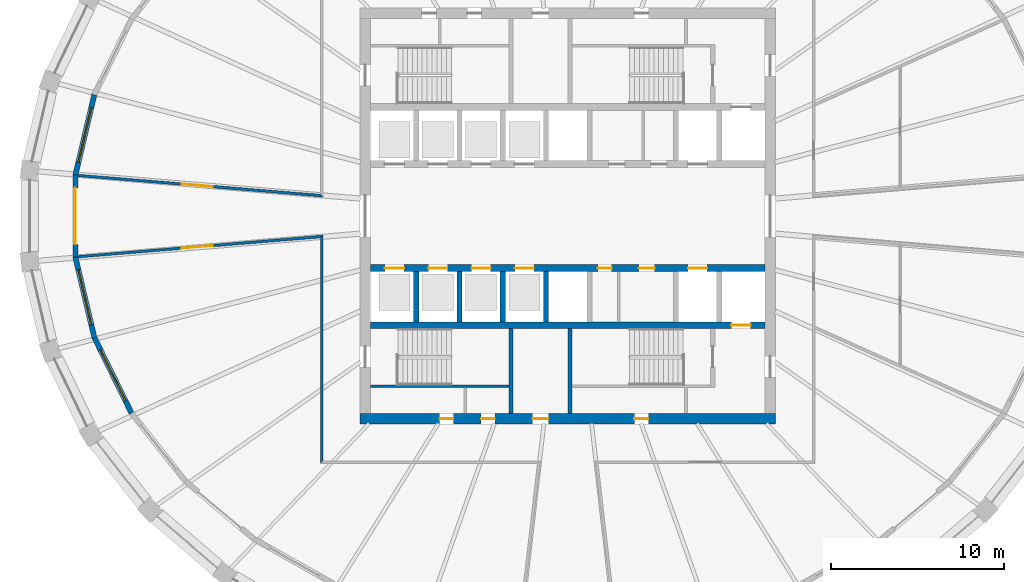
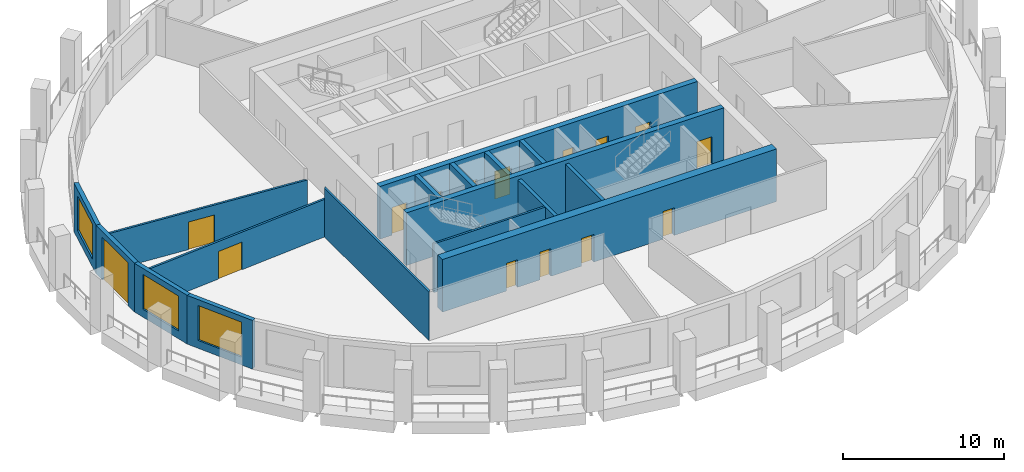
# One storey, part 3 of 10: 17 walls, 15 doors, 3 windows, 18 openings.
"""IFC4 building model written with IfcOpenShell, lengths in metres."""

from ifc_helpers import new_model, si_unit, direction, frame, frame_2d, origin, place, context, subcontext, project, spatial, polyline, rectangle, outline, extrude, material, layer, layer_set, type_object, element, fill, save


model = new_model("IFC4")

# Units and contexts
model_context = context("Model", 3, precision=1e-05, world=origin(), true_north=direction((0.0, 1.0)))
body_context = subcontext(model_context, "Body", "Model", "MODEL_VIEW")
ifc_project = project(units=[si_unit("LENGTHUNIT", "METRE"), si_unit("AREAUNIT", "SQUARE_METRE"), si_unit("VOLUMEUNIT", "CUBIC_METRE"), si_unit("PLANEANGLEUNIT", "RADIAN"), si_unit("MASSUNIT", "GRAM", prefix="KILO")], contexts=[model_context])

# Site, building, storey
site_placement = place(None, origin())
site = spatial("IfcSite", under=ifc_project, at=site_placement, CompositionType="ELEMENT")
building_placement = place(site_placement, origin())
building = spatial("IfcBuilding", under=site, at=building_placement, Name="Halqa Exchange Tower", CompositionType="ELEMENT")
storey_placement = place(building_placement, frame((0.0, 0.0, 238.89990234375)))
storey = spatial("IfcBuildingStorey", under=building, at=storey_placement, Name="L55", CompositionType="ELEMENT", Elevation=238.89990234375)

# Wall, opening, door
ifc_material_1 = material(Name="Fire-rated gypsum board")
ifc_layer_1 = layer(ifc_material_1, 0.14990234375)
ifc_layer_set_1 = layer_set([ifc_layer_1], Name="Fire-rated gypsum board")
wall_type_1 = type_object("IfcWallType", Name="Fire partition EI 60 150", PredefinedType="PARTITIONING", material=ifc_layer_set_1)
wall_1_placement = place(storey_placement, frame((-28.26708984375, 2.344970703125, 0.0), z_axis=(0.0, 0.0, 1.0), x_axis=(0.996588676362, -0.082528844332, 0.0)))
wall_1 = element("IfcWall", 1, at=wall_1_placement, inside=storey, type_object=wall_type_1, Name="L55-PWL-001", PredefinedType="PARTITIONING", context=body_context, shape_type="SweptSolid", body=[
    extrude(outline(polyline([(14.196533203125, -0.074951171875), (14.196533203125, -0.074951171875), (14.115234375, 0.0), (14.03369140625, 0.074951171875), (12.280029296875, 0.074951171875), (10.5263671875, 0.074951171875), (8.772705078125, 0.074951171875), (7.01904296875, 0.074951171875), (5.26513671875, 0.074951171875), (3.511474609375, 0.074951171875), (1.7578125, 0.074951171875), (0.004150390625, 0.074951171875), (0.0, 0.047607421875), (0.0, -0.074951171875), (1.774658203125, -0.074951171875), (3.549072265625, -0.074951171875), (5.32373046875, -0.074951171875), (7.09814453125, -0.074951171875), (8.872802734375, -0.074951171875), (10.6474609375, -0.074951171875), (12.421875, -0.074951171875), (14.196533203125, -0.074951171875)])), origin(), (0.0, 0.0, 1.0), 2.85009765625),
])
opening_1_placement = place(wall_1_placement, frame((6.005859375, 0.0, 0.0)))
opening_1 = element("IfcOpeningElement", 2, at=opening_1_placement, cuts=wall_1, Name="Opening 17-07", PredefinedType="OPENING", context=body_context, shape_type="SweptSolid", body=[
    extrude(rectangle(XDim=1.800048828125, YDim=2.10009765625, at=frame_2d((0.89990234375, 1.050048828125))), frame((0.0, 0.0869140625, 0.0), z_axis=(0.0, -1.0, 0.0), x_axis=(1.0, 0.0, 0.0)), (0.0, 0.0, 1.0), 0.173828125),
])
ifc_material_2 = material(Name="Steel fire door leaf", Category="steel")
door_type_1 = type_object("IfcDoorType", Name="Fire door FD30S double 1800 x 2100", OperationType="DOUBLE_DOOR_SINGLE_SWING", PredefinedType="DOOR", material=ifc_material_2)
door_1_placement = place(opening_1_placement, origin())
door_1 = element("IfcDoor", 3, at=door_1_placement, inside=storey, type_object=door_type_1, Name="L55-IDR-007", OperationType="DOUBLE_DOOR_SINGLE_SWING", OverallHeight=2.10009765625, OverallWidth=1.800048828125, PredefinedType="DOOR", context=body_context, shape_type="SweptSolid", body=[
    extrude(rectangle(XDim=1.800048828125, YDim=2.10009765625, at=frame_2d((0.89990234375, 1.050048828125))), frame((0.0, 0.02490234375, 0.0), z_axis=(0.0, -1.0, 0.0), x_axis=(1.0, 0.0, 0.0)), (0.0, 0.0, 1.0), 0.050048828125),
])
fill(opening_1, door_1)

# Wall
wall_2_placement = place(storey_placement, frame((-14.199951171875, -14.27490234375, 0.0), z_axis=(0.0, 0.0, 1.0), x_axis=(0.0, 1.0, 0.0)))
element("IfcWall", 4, at=wall_2_placement, inside=storey, type_object=wall_type_1, Name="L55-PWL-002", PredefinedType="PARTITIONING", context=body_context, shape_type="SweptSolid", body=[
    extrude(outline(polyline([(0.14990234375, -0.074951171875), (2.0107421875, -0.074951171875), (3.871826171875, -0.074951171875), (5.732666015625, -0.074951171875), (7.593505859375, -0.074951171875), (9.45458984375, -0.074951171875), (11.3154296875, -0.074951171875), (13.17626953125, -0.074951171875), (13.013427734375, 0.074951171875), (11.154541015625, 0.074951171875), (9.29541015625, 0.074951171875), (7.436279296875, 0.074951171875), (5.5771484375, 0.074951171875), (3.71826171875, 0.074951171875), (1.859130859375, 0.074951171875), (0.0, 0.074951171875), (0.14990234375, -0.074951171875)])), origin(), (0.0, 0.0, 1.0), 3.7001953125),
])

# Wall, opening, door
wall_3_placement = place(storey_placement, frame((-14.118896484375, -1.17333984375, 0.0), z_axis=(0.0, 0.0, 1.0), x_axis=(-0.996588676362, -0.082528844332, 0.0)))
wall_3 = element("IfcWall", 5, at=wall_3_placement, inside=storey, type_object=wall_type_1, Name="L55-PWL-003", PredefinedType="PARTITIONING", context=body_context, shape_type="SweptSolid", body=[
    extrude(outline(polyline([(14.196533203125, -0.074951171875), (14.196533203125, 0.048095703125), (14.192626953125, 0.074951171875), (12.438720703125, 0.074951171875), (10.68505859375, 0.074951171875), (8.931396484375, 0.074951171875), (7.177734375, 0.074951171875), (5.424072265625, 0.074951171875), (3.670166015625, 0.074951171875), (1.91650390625, 0.074951171875), (0.162841796875, 0.074951171875), (0.081298828125, 0.0), (0.0, -0.074951171875), (1.774658203125, -0.074951171875), (3.549072265625, -0.074951171875), (5.32373046875, -0.074951171875), (7.098388671875, -0.074951171875), (8.872802734375, -0.074951171875), (10.6474609375, -0.074951171875), (12.421875, -0.074951171875), (14.196533203125, -0.074951171875)])), origin(), (0.0, 0.0, 1.0), 2.85009765625),
])
opening_2_placement = place(wall_3_placement, frame((6.39111328125, 0.0, 0.0)))
opening_2 = element("IfcOpeningElement", 6, at=opening_2_placement, cuts=wall_3, Name="Opening 17-01", PredefinedType="OPENING", context=body_context, shape_type="SweptSolid", body=[
    extrude(rectangle(XDim=1.800048828125, YDim=2.10009765625, at=frame_2d((0.89990234375, 1.050048828125))), frame((0.0, 0.0869140625, 0.0), z_axis=(0.0, -1.0, 0.0), x_axis=(1.0, 0.0, 0.0)), (0.0, 0.0, 1.0), 0.173828125),
])
door_2_placement = place(opening_2_placement, origin())
door_2 = element("IfcDoor", 7, at=door_2_placement, inside=storey, type_object=door_type_1, Name="L55-IDR-001", OperationType="DOUBLE_DOOR_SINGLE_SWING", OverallHeight=2.10009765625, OverallWidth=1.800048828125, PredefinedType="DOOR", context=body_context, shape_type="SweptSolid", body=[
    extrude(rectangle(XDim=1.800048828125, YDim=2.10009765625, at=frame_2d((0.89990234375, 1.050048828125))), frame((0.0, 0.02490234375, 0.0), z_axis=(0.0, -1.0, 0.0), x_axis=(1.0, 0.0, 0.0)), (0.0, 0.0, 1.0), 0.050048828125),
])
fill(opening_2, door_2)

# Walls
ifc_material_3 = material(Name="Concrete C60/75", Category="concrete")
ifc_layer_2 = layer(ifc_material_3, 0.300048828125)
ifc_layer_set_2 = layer_set([ifc_layer_2], Name="Concrete C60/75")
wall_type_2 = type_object("IfcWallType", Name="RC core wall 300", PredefinedType="SHEAR", material=ifc_layer_set_2)
for number, where, z_axis, x_axis, name in (
    (8, (-8.75, -6.10009765625, 0.0), (0.0, 0.0, 1.0), (0.0, 1.0, 0.0), "Shaft divider S1"),
    (9, (-6.25, -6.10009765625, 0.0), (0.0, 0.0, 1.0), (0.0, 1.0, 0.0), "Shaft divider S2"),
    (10, (-3.75, -6.10009765625, 0.0), (0.0, 0.0, 1.0), (0.0, 1.0, 0.0), "Shaft divider S3"),
    (11, (-1.25, -6.10009765625, 0.0), (0.0, 0.0, 1.0), (0.0, 1.0, 0.0), "Shaft divider S4"),
):
    element("IfcWall", number, at=place(storey_placement, frame(where, z_axis=z_axis, x_axis=x_axis)), inside=storey, type_object=wall_type_2, Name=name, PredefinedType="SHEAR", context=body_context, shape_type="SweptSolid", body=[
        extrude(rectangle(XDim=2.900146484375, YDim=0.300048828125, at=frame_2d((1.4501953125, 0.0))), origin(), (0.0, 0.0, 1.0), 4.0),
    ])

# Wall, openings, doors
ifc_material_4 = material(Name="Concrete C70/85", Category="concrete")
ifc_layer_3 = layer(ifc_material_4, 0.39990234375)
ifc_layer_set_3 = layer_set([ifc_layer_3], Name="Concrete C70/85")
wall_type_3 = type_object("IfcWallType", Name="RC core wall 400 C70/85", PredefinedType="SHEAR", material=ifc_layer_set_3)
wall_4_placement = place(storey_placement, frame((-11.39990234375, -3.0, 0.0), z_axis=(0.0, 0.0, 1.0), x_axis=(1.0, 0.0, 0.0)))
wall_4 = element("IfcWall", 12, at=wall_4_placement, inside=storey, type_object=wall_type_3, Name="Lift row front wall S", PredefinedType="SHEAR", context=body_context, shape_type="SweptSolid", body=[
    extrude(rectangle(XDim=22.7998046875, YDim=0.39990234375, at=frame_2d((11.39990234375, 0.0))), origin(), (0.0, 0.0, 1.0), 4.0),
])
opening_3_placement = place(wall_4_placement, frame((0.85009765625, 0.0, 0.0)))
opening_3 = element("IfcOpeningElement", 13, at=opening_3_placement, cuts=wall_4, Name="Opening LD-HR3-T17", PredefinedType="OPENING", context=body_context, shape_type="SweptSolid", body=[
    extrude(rectangle(XDim=1.10009765625, YDim=2.10009765625, at=frame_2d((0.550048828125, 1.050048828125))), frame((0.0, 0.2119140625, 0.0), z_axis=(0.0, -1.0, 0.0), x_axis=(1.0, 0.0, 0.0)), (0.0, 0.0, 1.0), 0.423828125),
])
opening_4_placement = place(wall_4_placement, frame((3.35009765625, 0.0, 0.0)))
opening_4 = element("IfcOpeningElement", 14, at=opening_4_placement, cuts=wall_4, Name="Opening LD-HR4-T17", PredefinedType="OPENING", context=body_context, shape_type="SweptSolid", body=[
    extrude(rectangle(XDim=1.10009765625, YDim=2.10009765625, at=frame_2d((0.550048828125, 1.050048828125))), frame((0.0, 0.2119140625, 0.0), z_axis=(0.0, -1.0, 0.0), x_axis=(1.0, 0.0, 0.0)), (0.0, 0.0, 1.0), 0.423828125),
])
opening_5_placement = place(wall_4_placement, frame((5.85009765625, 0.0, 0.0)))
opening_5 = element("IfcOpeningElement", 15, at=opening_5_placement, cuts=wall_4, Name="Opening LD-MR3-T17", PredefinedType="OPENING", context=body_context, shape_type="SweptSolid", body=[
    extrude(rectangle(XDim=1.10009765625, YDim=2.10009765625, at=frame_2d((0.550048828125, 1.050048828125))), frame((0.0, 0.2119140625, 0.0), z_axis=(0.0, -1.0, 0.0), x_axis=(1.0, 0.0, 0.0)), (0.0, 0.0, 1.0), 0.423828125),
])
opening_6_placement = place(wall_4_placement, frame((8.35009765625, 0.0, 0.0)))
opening_6 = element("IfcOpeningElement", 16, at=opening_6_placement, cuts=wall_4, Name="Opening LD-MR4-T17", PredefinedType="OPENING", context=body_context, shape_type="SweptSolid", body=[
    extrude(rectangle(XDim=1.10009765625, YDim=2.10009765625, at=frame_2d((0.550048828125, 1.050048828125))), frame((0.0, 0.2119140625, 0.0), z_axis=(0.0, -1.0, 0.0), x_axis=(1.0, 0.0, 0.0)), (0.0, 0.0, 1.0), 0.423828125),
])
opening_7_placement = place(wall_4_placement, frame((18.35009765625, 0.0, 0.0)))
opening_7 = element("IfcOpeningElement", 17, at=opening_7_placement, cuts=wall_4, Name="Opening LD-SV2-T17", PredefinedType="OPENING", context=body_context, shape_type="SweptSolid", body=[
    extrude(rectangle(XDim=1.10009765625, YDim=2.10009765625, at=frame_2d((0.550048828125, 1.050048828125))), frame((0.0, 0.2119140625, 0.0), z_axis=(0.0, -1.0, 0.0), x_axis=(1.0, 0.0, 0.0)), (0.0, 0.0, 1.0), 0.423828125),
])
opening_8_placement = place(wall_4_placement, frame((13.137451171875, 0.0, 0.0)))
opening_8 = element("IfcOpeningElement", 18, at=opening_8_placement, cuts=wall_4, Name="Opening T17-C31", PredefinedType="OPENING", context=body_context, shape_type="SweptSolid", body=[
    extrude(rectangle(XDim=0.800048828125, YDim=2.10009765625, at=frame_2d((0.39990234375, 1.050048828125))), frame((0.0, 0.2119140625, 0.0), z_axis=(0.0, -1.0, 0.0), x_axis=(1.0, 0.0, 0.0)), (0.0, 0.0, 1.0), 0.423828125),
])
opening_9_placement = place(wall_4_placement, frame((15.512451171875, 0.0, 0.0)))
opening_9 = element("IfcOpeningElement", 19, at=opening_9_placement, cuts=wall_4, Name="Opening T17-C32", PredefinedType="OPENING", context=body_context, shape_type="SweptSolid", body=[
    extrude(rectangle(XDim=0.89990234375, YDim=2.10009765625, at=frame_2d((0.449951171875, 1.050048828125))), frame((0.0, 0.2119140625, 0.0), z_axis=(0.0, -1.0, 0.0), x_axis=(1.0, 0.0, 0.0)), (0.0, 0.0, 1.0), 0.423828125),
])
ifc_material_5 = material(Name="Timber fire door leaf", Category="wood")
door_type_2 = type_object("IfcDoorType", Name="Core room door FD30 900 x 2100", OperationType="SINGLE_SWING_LEFT", PredefinedType="DOOR", material=ifc_material_5)
door_3_placement = place(opening_9_placement, frame((0.89990234375, 0.0, 0.0), z_axis=(0.0, 0.0, 1.0), x_axis=(-1.0, 0.0, 0.0)))
door_3 = element("IfcDoor", 20, at=door_3_placement, inside=storey, type_object=door_type_2, Name="Core room door", OperationType="SINGLE_SWING_LEFT", OverallHeight=2.10009765625, OverallWidth=0.89990234375, PredefinedType="DOOR", context=body_context, shape_type="SweptSolid", body=[
    extrude(rectangle(XDim=0.89990234375, YDim=2.10009765625, at=frame_2d((0.449951171875, 1.050048828125))), frame((0.0, 0.02490234375, 0.0), z_axis=(0.0, -1.0, 0.0), x_axis=(1.0, 0.0, 0.0)), (0.0, 0.0, 1.0), 0.050048828125),
])
fill(opening_9, door_3)
ifc_material_6 = material(Name="Stainless steel", Category="steel")
door_type_3 = type_object("IfcDoorType", Name="Lift landing door 1100 x 2100", OperationType="SLIDING_TO_LEFT", PredefinedType="DOOR", material=ifc_material_6)
door_4_placement = place(opening_3_placement, origin())
door_4 = element("IfcDoor", 21, at=door_4_placement, inside=storey, type_object=door_type_3, Name="Lift landing door HR3", OperationType="SLIDING_TO_LEFT", OverallHeight=2.10009765625, OverallWidth=1.10009765625, PredefinedType="DOOR", context=body_context, shape_type="SweptSolid", body=[
    extrude(rectangle(XDim=1.10009765625, YDim=2.10009765625, at=frame_2d((0.550048828125, 1.050048828125))), frame((0.0, 0.02490234375, 0.0), z_axis=(0.0, -1.0, 0.0), x_axis=(1.0, 0.0, 0.0)), (0.0, 0.0, 1.0), 0.050048828125),
])
fill(opening_3, door_4)
door_5_placement = place(opening_4_placement, origin())
door_5 = element("IfcDoor", 22, at=door_5_placement, inside=storey, type_object=door_type_3, Name="Lift landing door HR4", OperationType="SLIDING_TO_LEFT", OverallHeight=2.10009765625, OverallWidth=1.10009765625, PredefinedType="DOOR", context=body_context, shape_type="SweptSolid", body=[
    extrude(rectangle(XDim=1.10009765625, YDim=2.10009765625, at=frame_2d((0.550048828125, 1.050048828125))), frame((0.0, 0.02490234375, 0.0), z_axis=(0.0, -1.0, 0.0), x_axis=(1.0, 0.0, 0.0)), (0.0, 0.0, 1.0), 0.050048828125),
])
fill(opening_4, door_5)
door_6_placement = place(opening_5_placement, origin())
door_6 = element("IfcDoor", 23, at=door_6_placement, inside=storey, type_object=door_type_3, Name="Lift landing door MR3", OperationType="SLIDING_TO_LEFT", OverallHeight=2.10009765625, OverallWidth=1.10009765625, PredefinedType="DOOR", context=body_context, shape_type="SweptSolid", body=[
    extrude(rectangle(XDim=1.10009765625, YDim=2.10009765625, at=frame_2d((0.550048828125, 1.050048828125))), frame((0.0, 0.02490234375, 0.0), z_axis=(0.0, -1.0, 0.0), x_axis=(1.0, 0.0, 0.0)), (0.0, 0.0, 1.0), 0.050048828125),
])
fill(opening_5, door_6)
door_7_placement = place(opening_6_placement, origin())
door_7 = element("IfcDoor", 24, at=door_7_placement, inside=storey, type_object=door_type_3, Name="Lift landing door MR4", OperationType="SLIDING_TO_LEFT", OverallHeight=2.10009765625, OverallWidth=1.10009765625, PredefinedType="DOOR", context=body_context, shape_type="SweptSolid", body=[
    extrude(rectangle(XDim=1.10009765625, YDim=2.10009765625, at=frame_2d((0.550048828125, 1.050048828125))), frame((0.0, 0.02490234375, 0.0), z_axis=(0.0, -1.0, 0.0), x_axis=(1.0, 0.0, 0.0)), (0.0, 0.0, 1.0), 0.050048828125),
])
fill(opening_6, door_7)
door_8_placement = place(opening_7_placement, origin())
door_8 = element("IfcDoor", 25, at=door_8_placement, inside=storey, type_object=door_type_3, Name="Lift landing door SV2", OperationType="SLIDING_TO_LEFT", OverallHeight=2.10009765625, OverallWidth=1.10009765625, PredefinedType="DOOR", context=body_context, shape_type="SweptSolid", body=[
    extrude(rectangle(XDim=1.10009765625, YDim=2.10009765625, at=frame_2d((0.550048828125, 1.050048828125))), frame((0.0, 0.02490234375, 0.0), z_axis=(0.0, -1.0, 0.0), x_axis=(1.0, 0.0, 0.0)), (0.0, 0.0, 1.0), 0.050048828125),
])
fill(opening_7, door_8)
door_type_4 = type_object("IfcDoorType", Name="Riser door FD60 800 x 2100", OperationType="SINGLE_SWING_LEFT", PredefinedType="DOOR", material=ifc_material_2)
door_9_placement = place(opening_8_placement, frame((0.800048828125, 0.0, 0.0), z_axis=(0.0, 0.0, 1.0), x_axis=(-1.0, 0.0, 0.0)))
door_9 = element("IfcDoor", 26, at=door_9_placement, inside=storey, type_object=door_type_4, Name="Core room door", OperationType="SINGLE_SWING_LEFT", OverallHeight=2.10009765625, OverallWidth=0.800048828125, PredefinedType="DOOR", context=body_context, shape_type="SweptSolid", body=[
    extrude(rectangle(XDim=0.800048828125, YDim=2.10009765625, at=frame_2d((0.39990234375, 1.050048828125))), frame((0.0, 0.02490234375, 0.0), z_axis=(0.0, -1.0, 0.0), x_axis=(1.0, 0.0, 0.0)), (0.0, 0.0, 1.0), 0.050048828125),
])
fill(opening_8, door_9)

# Wall, opening, door
wall_5_placement = place(storey_placement, frame((-11.39990234375, -6.300048828125, 0.0), z_axis=(0.0, 0.0, 1.0), x_axis=(1.0, 0.0, 0.0)))
wall_5 = element("IfcWall", 27, at=wall_5_placement, inside=storey, type_object=wall_type_3, Name="Lift row back wall S", PredefinedType="SHEAR", context=body_context, shape_type="SweptSolid", body=[
    extrude(rectangle(XDim=22.7998046875, YDim=0.39990234375, at=frame_2d((11.39990234375, 0.0))), origin(), (0.0, 0.0, 1.0), 4.0),
])
opening_10_placement = place(wall_5_placement, frame((20.85009765625, 0.0, 0.0)))
opening_10 = element("IfcOpeningElement", 28, at=opening_10_placement, cuts=wall_5, Name="Opening LD-FF2-T17", PredefinedType="OPENING", context=body_context, shape_type="SweptSolid", body=[
    extrude(rectangle(XDim=1.10009765625, YDim=2.10009765625, at=frame_2d((0.550048828125, 1.050048828125))), frame((0.0, 0.2119140625, 0.0), z_axis=(0.0, -1.0, 0.0), x_axis=(1.0, 0.0, 0.0)), (0.0, 0.0, 1.0), 0.423828125),
])
door_10_placement = place(opening_10_placement, origin())
door_10 = element("IfcDoor", 29, at=door_10_placement, inside=storey, type_object=door_type_3, Name="Lift landing door FF2", OperationType="SLIDING_TO_LEFT", OverallHeight=2.10009765625, OverallWidth=1.10009765625, PredefinedType="DOOR", context=body_context, shape_type="SweptSolid", body=[
    extrude(rectangle(XDim=1.10009765625, YDim=2.10009765625, at=frame_2d((0.550048828125, 1.050048828125))), frame((0.0, 0.02490234375, 0.0), z_axis=(0.0, -1.0, 0.0), x_axis=(1.0, 0.0, 0.0)), (0.0, 0.0, 1.0), 0.050048828125),
])
fill(opening_10, door_10)

# Wall, openings, doors
ifc_layer_4 = layer(ifc_material_4, 0.60009765625)
ifc_layer_set_4 = layer_set([ifc_layer_4], Name="Concrete C70/85")
wall_type_4 = type_object("IfcWallType", Name="RC core wall 600 C70/85", PredefinedType="SHEAR", material=ifc_layer_set_4)
wall_6_placement = place(storey_placement, frame((-12.0, -11.699951171875, 0.0), z_axis=(0.0, 0.0, 1.0), x_axis=(1.0, 0.0, 0.0)))
wall_6 = element("IfcWall", 30, at=wall_6_placement, inside=storey, type_object=wall_type_4, Name="Core wall south", PredefinedType="SHEAR", context=body_context, shape_type="SweptSolid", body=[
    extrude(rectangle(XDim=24.0, YDim=0.60009765625, at=frame_2d((12.0, 0.0))), origin(), (0.0, 0.0, 1.0), 4.0),
])
opening_11_placement = place(wall_6_placement, frame((9.97509765625, 0.0, 0.0)))
opening_11 = element("IfcOpeningElement", 31, at=opening_11_placement, cuts=wall_6, Name="Opening T17-C25", PredefinedType="OPENING", context=body_context, shape_type="SweptSolid", body=[
    extrude(rectangle(XDim=0.89990234375, YDim=2.10009765625, at=frame_2d((0.449951171875, 1.050048828125))), frame((0.0, 0.31201171875, 0.0), z_axis=(0.0, -1.0, 0.0), x_axis=(1.0, 0.0, 0.0)), (0.0, 0.0, 1.0), 0.6240234375),
])
opening_12_placement = place(wall_6_placement, frame((4.60009765625, 0.0, 0.0)))
opening_12 = element("IfcOpeningElement", 32, at=opening_12_placement, cuts=wall_6, Name="Opening T17-C26", PredefinedType="OPENING", context=body_context, shape_type="SweptSolid", body=[
    extrude(rectangle(XDim=0.800048828125, YDim=2.10009765625, at=frame_2d((0.39990234375, 1.050048828125))), frame((0.0, 0.31201171875, 0.0), z_axis=(0.0, -1.0, 0.0), x_axis=(1.0, 0.0, 0.0)), (0.0, 0.0, 1.0), 0.6240234375),
])
opening_13_placement = place(wall_6_placement, frame((7.0, 0.0, 0.0)))
opening_13 = element("IfcOpeningElement", 33, at=opening_13_placement, cuts=wall_6, Name="Opening T17-C27", PredefinedType="OPENING", context=body_context, shape_type="SweptSolid", body=[
    extrude(rectangle(XDim=0.800048828125, YDim=2.10009765625, at=frame_2d((0.39990234375, 1.050048828125))), frame((0.0, 0.31201171875, 0.0), z_axis=(0.0, -1.0, 0.0), x_axis=(1.0, 0.0, 0.0)), (0.0, 0.0, 1.0), 0.6240234375),
])
opening_14_placement = place(wall_6_placement, frame((15.85009765625, 0.0, 0.0)))
opening_14 = element("IfcOpeningElement", 34, at=opening_14_placement, cuts=wall_6, Name="Opening T17-C28", PredefinedType="OPENING", context=body_context, shape_type="SweptSolid", body=[
    extrude(rectangle(XDim=0.800048828125, YDim=2.10009765625, at=frame_2d((0.39990234375, 1.050048828125))), frame((0.0, 0.31201171875, 0.0), z_axis=(0.0, -1.0, 0.0), x_axis=(1.0, 0.0, 0.0)), (0.0, 0.0, 1.0), 0.6240234375),
])
door_11_placement = place(opening_11_placement, origin())
door_11 = element("IfcDoor", 35, at=door_11_placement, inside=storey, type_object=door_type_2, Name="Core room door", OperationType="SINGLE_SWING_RIGHT", OverallHeight=2.10009765625, OverallWidth=0.89990234375, PredefinedType="DOOR", context=body_context, shape_type="SweptSolid", body=[
    extrude(rectangle(XDim=0.89990234375, YDim=2.10009765625, at=frame_2d((0.449951171875, 1.050048828125))), frame((0.0, 0.02490234375, 0.0), z_axis=(0.0, -1.0, 0.0), x_axis=(1.0, 0.0, 0.0)), (0.0, 0.0, 1.0), 0.050048828125),
])
fill(opening_11, door_11)
door_12_placement = place(opening_12_placement, origin())
door_12 = element("IfcDoor", 36, at=door_12_placement, inside=storey, type_object=door_type_4, Name="Core room door", OperationType="SINGLE_SWING_LEFT", OverallHeight=2.10009765625, OverallWidth=0.800048828125, PredefinedType="DOOR", context=body_context, shape_type="SweptSolid", body=[
    extrude(rectangle(XDim=0.800048828125, YDim=2.10009765625, at=frame_2d((0.39990234375, 1.050048828125))), frame((0.0, 0.02490234375, 0.0), z_axis=(0.0, -1.0, 0.0), x_axis=(1.0, 0.0, 0.0)), (0.0, 0.0, 1.0), 0.050048828125),
])
fill(opening_12, door_12)
door_13_placement = place(opening_13_placement, origin())
door_13 = element("IfcDoor", 37, at=door_13_placement, inside=storey, type_object=door_type_4, Name="Core room door", OperationType="SINGLE_SWING_RIGHT", OverallHeight=2.10009765625, OverallWidth=0.800048828125, PredefinedType="DOOR", context=body_context, shape_type="SweptSolid", body=[
    extrude(rectangle(XDim=0.800048828125, YDim=2.10009765625, at=frame_2d((0.39990234375, 1.050048828125))), frame((0.0, 0.02490234375, 0.0), z_axis=(0.0, -1.0, 0.0), x_axis=(1.0, 0.0, 0.0)), (0.0, 0.0, 1.0), 0.050048828125),
])
fill(opening_13, door_13)
door_14_placement = place(opening_14_placement, origin())
door_14 = element("IfcDoor", 38, at=door_14_placement, inside=storey, type_object=door_type_4, Name="Core room door", OperationType="SINGLE_SWING_LEFT", OverallHeight=2.10009765625, OverallWidth=0.800048828125, PredefinedType="DOOR", context=body_context, shape_type="SweptSolid", body=[
    extrude(rectangle(XDim=0.800048828125, YDim=2.10009765625, at=frame_2d((0.39990234375, 1.050048828125))), frame((0.0, 0.02490234375, 0.0), z_axis=(0.0, -1.0, 0.0), x_axis=(1.0, 0.0, 0.0)), (0.0, 0.0, 1.0), 0.050048828125),
])
fill(opening_14, door_14)

# Walls
ifc_material_7 = material(Name="Concrete C30/37", Category="concrete")
ifc_layer_5 = layer(ifc_material_7, 0.14990234375)
ifc_layer_set_5 = layer_set([ifc_layer_5], Name="Concrete C30/37")
wall_type_5 = type_object("IfcWallType", Name="RC stair wall 150 C30/37", PredefinedType="SHEAR", material=ifc_layer_set_5)
wall_7_placement = place(storey_placement, frame((-11.39990234375, -9.824951171875, 0.0), z_axis=(0.0, 0.0, 1.0), x_axis=(1.0, 0.0, 0.0)))
element("IfcWall", 39, at=wall_7_placement, inside=storey, type_object=wall_type_5, Name="Stair ST1 north wall S", PredefinedType="SHEAR", context=body_context, shape_type="SweptSolid", body=[
    extrude(rectangle(XDim=8.0, YDim=0.14990234375, at=frame_2d((4.0, 0.0))), origin(), (0.0, 0.0, 1.0), 3.7001953125),
])
ifc_layer_6 = layer(ifc_material_7, 0.25)
ifc_layer_set_6 = layer_set([ifc_layer_6], Name="Concrete C30/37")
wall_type_6 = type_object("IfcWallType", Name="RC stair wall 250 C30/37", PredefinedType="SHEAR", material=ifc_layer_set_6)
for number, where, z_axis, x_axis, name in (
    (40, (-3.27490234375, -11.39990234375, 0.0), (0.0, 0.0, 1.0), (0.0, 1.0, 0.0), "Stair ST1 east wall S"),
    (41, (0.125, -11.39990234375, 0.0), (0.0, 0.0, 1.0), (0.0, 1.0, 0.0), "Stair ST2 west wall S"),
):
    element("IfcWall", number, at=place(storey_placement, frame(where, z_axis=z_axis, x_axis=x_axis)), inside=storey, type_object=wall_type_6, Name=name, PredefinedType="SHEAR", context=body_context, shape_type="SweptSolid", body=[
        extrude(rectangle(XDim=4.89990234375, YDim=0.25, at=frame_2d((2.449951171875, 0.0))), origin(), (0.0, 0.0, 1.0), 3.7001953125),
    ])

# Wall, opening, window
ifc_material_8 = material(Name="Limestone cladding", Category="masonry")
ifc_layer_7 = layer(ifc_material_8, 0.0400390625)
ifc_material_9 = material(Name="Ventilated cavity")
ifc_layer_8 = layer(ifc_material_9, 0.030029296875, ventilated=True)
ifc_material_10 = material(Name="Mineral wool insulation")
ifc_layer_9 = layer(ifc_material_10, 0.10009765625)
ifc_layer_10 = layer(ifc_material_7, 0.10009765625)
ifc_material_11 = material(Name="Internal plaster")
ifc_layer_11 = layer(ifc_material_11, 0.030029296875)
ifc_layer_set_7 = layer_set([ifc_layer_7, ifc_layer_8, ifc_layer_9, ifc_layer_10, ifc_layer_11], Name="Stone-faced insulated wall 300")
wall_type_7 = type_object("IfcWallType", Name="Stone-faced insulated wall 300", PredefinedType="STANDARD", material=ifc_layer_set_7)
wall_8_placement = place(storey_placement, frame((-27.329345703125, 7.00390625, 0.0), z_axis=(0.0, 0.0, 1.0), x_axis=(-0.229593205094, -0.973286679337, 0.0)))
wall_8 = element("IfcWall", 42, at=wall_8_placement, inside=storey, type_object=wall_type_7, Name="Glass-line wall 15", PredefinedType="STANDARD", context=body_context, shape_type="SweptSolid", body=[
    extrude(outline(polyline([(-0.016845703125, -0.14990234375), (4.783447265625, -0.14990234375), (4.748291015625, 0.14990234375), (0.016845703125, 0.14990234375), (-0.016845703125, -0.14990234375)])), origin(), (0.0, 0.0, 1.0), 3.7001953125),
])
opening_15_placement = place(wall_8_placement, frame((0.758056640625, 0.0, 0.60009765625)))
opening_15 = element("IfcOpeningElement", 43, at=opening_15_placement, cuts=wall_8, Name="Opening W-F3-15", PredefinedType="OPENING", context=body_context, shape_type="SweptSolid", body=[
    extrude(rectangle(XDim=3.25, YDim=2.64990234375, at=frame_2d((1.625, 1.324951171875))), frame((0.0, 0.162109375, 0.0), z_axis=(0.0, -1.0, 0.0), x_axis=(1.0, 0.0, 0.0)), (0.0, 0.0, 1.0), 0.323974609375),
])
ifc_material_12 = material(Name="Clear low-emissivity glass in aluminium frame", Category="aluminium")
window_type = type_object("IfcWindowType", Name="Fixed clear glazed window 3250 x 2650", PartitioningType="TRIPLE_PANEL_VERTICAL", PredefinedType="WINDOW", material=ifc_material_12)
window_1_placement = place(opening_15_placement, origin())
window_1 = element("IfcWindow", 44, at=window_1_placement, inside=storey, type_object=window_type, Name="Window 3", OverallHeight=2.64990234375, OverallWidth=3.25, PartitioningType="TRIPLE_PANEL_VERTICAL", PredefinedType="WINDOW", context=body_context, shape_type="SweptSolid", body=[
    extrude(rectangle(XDim=3.25, YDim=2.64990234375, at=frame_2d((1.625, 1.324951171875))), frame((0.0, 0.030029296875, 0.0), z_axis=(0.0, -1.0, 0.0), x_axis=(1.0, 0.0, 0.0)), (0.0, 0.0, 1.0), 0.06005859375),
])
fill(opening_15, window_1)

# Wall, opening, door
wall_9_placement = place(storey_placement, frame((-28.423583984375, 2.365234375, 0.0), z_axis=(0.0, 0.0, 1.0), x_axis=(0.0, -1.0, 0.0)))
wall_9 = element("IfcWall", 45, at=wall_9_placement, inside=storey, type_object=wall_type_7, Name="Glass-line wall 16", PredefinedType="STANDARD", context=body_context, shape_type="SweptSolid", body=[
    extrude(outline(polyline([(-0.017578125, -0.14990234375), (4.748046875, -0.14990234375), (4.712890625, 0.14990234375), (0.017578125, 0.14990234375), (-0.017578125, -0.14990234375)])), origin(), (0.0, 0.0, 1.0), 3.7001953125),
])
opening_16_placement = place(wall_9_placement, frame((0.740234375, 0.0, 0.0)))
opening_16 = element("IfcOpeningElement", 46, at=opening_16_placement, cuts=wall_9, Name="Opening LG-F3-04", PredefinedType="OPENING", context=body_context, shape_type="SweptSolid", body=[
    extrude(rectangle(XDim=3.25, YDim=3.25, at=frame_2d((1.625, 1.625))), frame((0.0, 0.162109375, 0.0), z_axis=(0.0, -1.0, 0.0), x_axis=(1.0, 0.0, 0.0)), (0.0, 0.0, 1.0), 0.323974609375),
])
door_type_5 = type_object("IfcDoorType", Name="Glazed sliding loggia door 3250 x 3250", OperationType="DOUBLE_DOOR_SLIDING", PredefinedType="DOOR", material=ifc_material_12)
door_15_placement = place(opening_16_placement, origin())
door_15 = element("IfcDoor", 47, at=door_15_placement, inside=storey, type_object=door_type_5, Name="Loggia door 4", OperationType="DOUBLE_DOOR_SLIDING", OverallHeight=3.25, OverallWidth=3.25, PredefinedType="DOOR", context=body_context, shape_type="SweptSolid", body=[
    extrude(rectangle(XDim=3.25, YDim=3.25, at=frame_2d((1.625, 1.625))), frame((0.0, 0.02490234375, 0.0), z_axis=(0.0, -1.0, 0.0), x_axis=(1.0, 0.0, 0.0)), (0.0, 0.0, 1.0), 0.050048828125),
])
fill(opening_16, door_15)

# Wall, opening, window
wall_10_placement = place(storey_placement, frame((-28.423583984375, -2.365234375, 0.0), z_axis=(0.0, 0.0, 1.0), x_axis=(0.229593205094, -0.973286679337, 0.0)))
wall_10 = element("IfcWall", 48, at=wall_10_placement, inside=storey, type_object=wall_type_7, Name="Glass-line wall 17", PredefinedType="STANDARD", context=body_context, shape_type="SweptSolid", body=[
    extrude(outline(polyline([(-0.017578125, -0.14990234375), (4.78271484375, -0.14990234375), (4.7490234375, 0.14990234375), (0.017578125, 0.14990234375), (-0.017578125, -0.14990234375)])), origin(), (0.0, 0.0, 1.0), 3.7001953125),
])
opening_17_placement = place(wall_10_placement, frame((0.758056640625, 0.0, 0.60009765625)))
opening_17 = element("IfcOpeningElement", 49, at=opening_17_placement, cuts=wall_10, Name="Opening W-F3-17", PredefinedType="OPENING", context=body_context, shape_type="SweptSolid", body=[
    extrude(rectangle(XDim=3.25, YDim=2.64990234375, at=frame_2d((1.625, 1.324951171875))), frame((0.0, 0.162109375, 0.0), z_axis=(0.0, -1.0, 0.0), x_axis=(1.0, 0.0, 0.0)), (0.0, 0.0, 1.0), 0.323974609375),
])
window_2_placement = place(opening_17_placement, origin())
window_2 = element("IfcWindow", 50, at=window_2_placement, inside=storey, type_object=window_type, Name="Window 3", OverallHeight=2.64990234375, OverallWidth=3.25, PartitioningType="TRIPLE_PANEL_VERTICAL", PredefinedType="WINDOW", context=body_context, shape_type="SweptSolid", body=[
    extrude(rectangle(XDim=3.25, YDim=2.64990234375, at=frame_2d((1.625, 1.324951171875))), frame((0.0, 0.030029296875, 0.0), z_axis=(0.0, -1.0, 0.0), x_axis=(1.0, 0.0, 0.0)), (0.0, 0.0, 1.0), 0.06005859375),
])
fill(opening_17, window_2)

wall_11_placement = place(storey_placement, frame((-27.329345703125, -7.00390625, 0.0), z_axis=(0.0, 0.0, 1.0), x_axis=(0.441001730708, -0.897506252632, 0.0)))
wall_11 = element("IfcWall", 51, at=wall_11_placement, inside=storey, type_object=wall_type_7, Name="Glass-line wall 18", PredefinedType="STANDARD", context=body_context, shape_type="SweptSolid", body=[
    extrude(outline(polyline([(-0.016845703125, -0.14990234375), (4.88232421875, -0.14990234375), (4.85009765625, 0.14990234375), (0.016845703125, 0.14990234375), (-0.016845703125, -0.14990234375)])), origin(), (0.0, 0.0, 1.0), 3.7001953125),
])
opening_18_placement = place(wall_11_placement, frame((0.80810546875, 0.0, 0.60009765625)))
opening_18 = element("IfcOpeningElement", 52, at=opening_18_placement, cuts=wall_11, Name="Opening W-F3-18", PredefinedType="OPENING", context=body_context, shape_type="SweptSolid", body=[
    extrude(rectangle(XDim=3.25, YDim=2.64990234375, at=frame_2d((1.625, 1.324951171875))), frame((0.0, 0.162109375, 0.0), z_axis=(0.0, -1.0, 0.0), x_axis=(1.0, 0.0, 0.0)), (0.0, 0.0, 1.0), 0.323974609375),
])
window_3_placement = place(opening_18_placement, origin())
window_3 = element("IfcWindow", 53, at=window_3_placement, inside=storey, type_object=window_type, Name="Window 3", OverallHeight=2.64990234375, OverallWidth=3.25, PartitioningType="TRIPLE_PANEL_VERTICAL", PredefinedType="WINDOW", context=body_context, shape_type="SweptSolid", body=[
    extrude(rectangle(XDim=3.25, YDim=2.64990234375, at=frame_2d((1.625, 1.324951171875))), frame((0.0, 0.030029296875, 0.0), z_axis=(0.0, -1.0, 0.0), x_axis=(1.0, 0.0, 0.0)), (0.0, 0.0, 1.0), 0.06005859375),
])
fill(opening_18, window_3)

save(model, "model.ifc")
